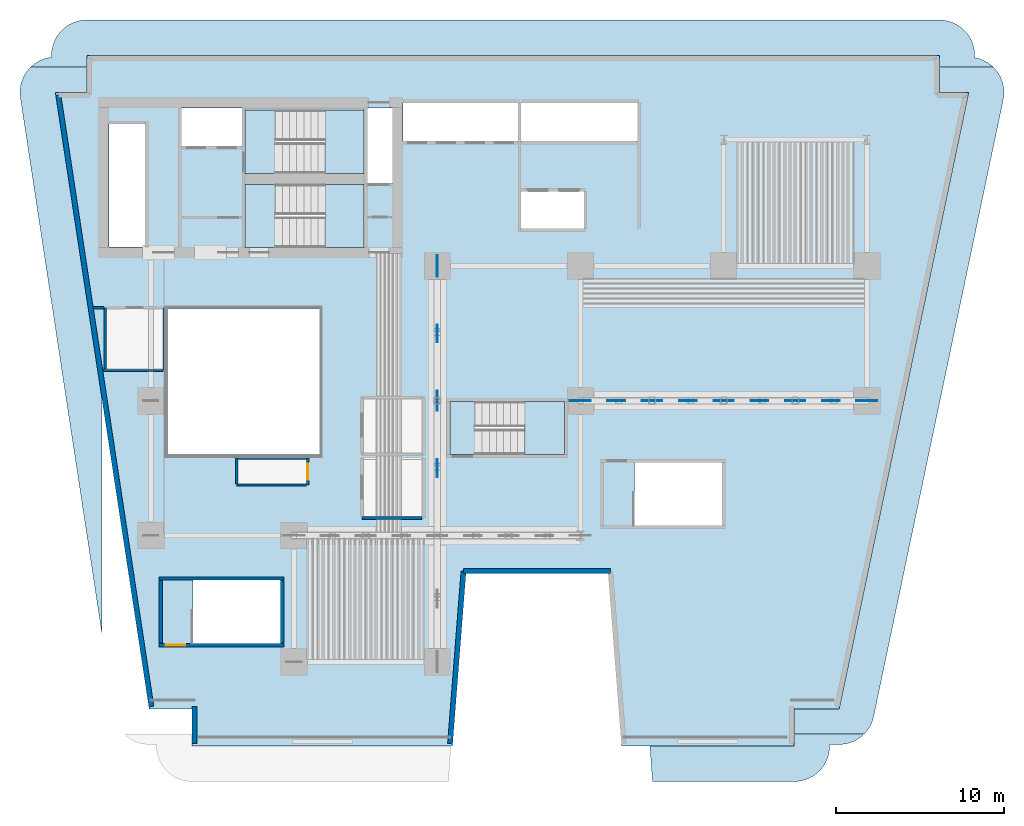
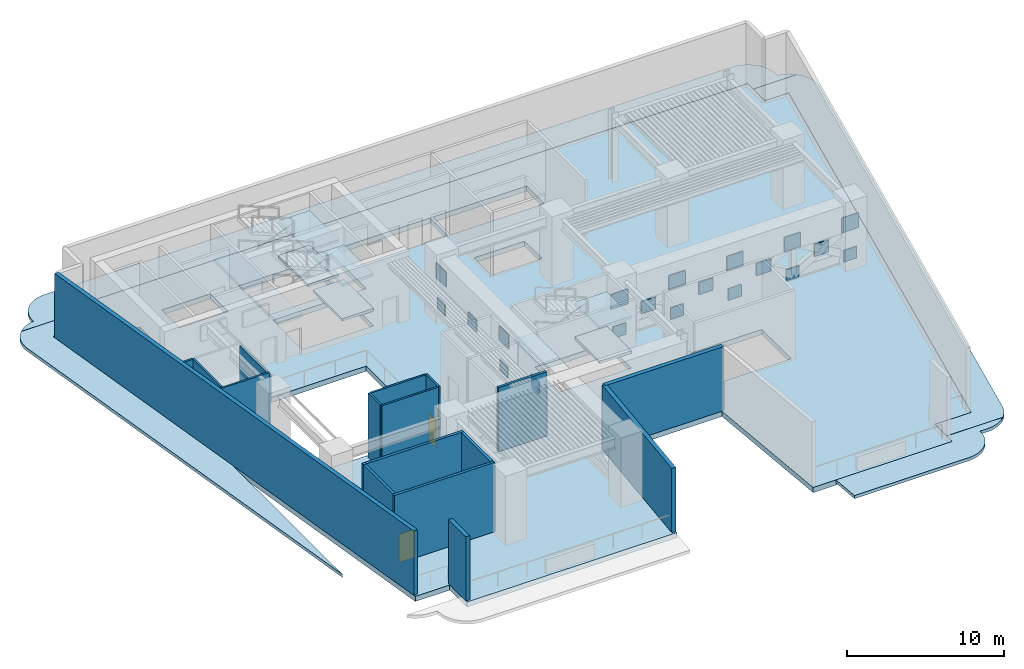
# One storey, part 3 of 9: 20 plates, 17 walls, 14 slabs, 2 doors, 2 openings, 3 elements without a shape of their own.
"""IFC4 building model written with IfcOpenShell, lengths in metres."""

import ifcopenshell
import ifcopenshell.guid

model = None  # the IFC model being written
_history = None  # IfcOwnerHistory: only IFC2X3 demands one
_inside = {}  # id of a spatial element -> (the spatial element, [elements in it])
_under = {}  # id of a project, library or spatial element -> (it, [spatial elements below it])
_declared = {}  # id of a project -> (the project, [libraries it declares])
_typed = {}  # id of a type object -> (the type object, [elements of that type])
_made_of = {}  # id of a material, layer set ... -> (it, [elements and type objects made of it])


def new_model(schema):
    """Start an empty IFC model of exactly this schema.

    Asked for "IFC4X3", IfcOpenShell would pick the latest addendum, in which some entities
    have other attributes; the version numbers below select the first issue.
    IFC2X3 requires an IfcOwnerHistory on every rooted entity: one is made here for all.
    """
    global model, _history
    if schema == "IFC4X3":
        model = ifcopenshell.file(schema_version=(4, 3, 0, 0))
    else:
        model = ifcopenshell.file(schema=schema)
    _inside.clear()
    _under.clear()
    _declared.clear()
    _typed.clear()
    _made_of.clear()
    _history = None
    if model.schema == "IFC2X3":
        org = make("IfcOrganization", Name="unknown")
        user = make(
            "IfcPersonAndOrganization",
            ThePerson=make("IfcPerson", FamilyName="unknown"),
            TheOrganization=org,
        )
        app = make(
            "IfcApplication",
            ApplicationDeveloper=org,
            Version="unknown",
            ApplicationFullName="unknown",
            ApplicationIdentifier="unknown",
        )
        _history = make(
            "IfcOwnerHistory",
            OwningUser=user,
            OwningApplication=app,
            ChangeAction="ADDED",
            CreationDate=0,
        )
    return model


def make(cls, **values):
    """One entity of the class cls with the attributes given. An attribute that is None is left unset."""
    return model.create_entity(
        cls, **{name: value for name, value in values.items() if value is not None}
    )


def rooted(cls, **values):
    """An entity with a GlobalId (a new one), such as an element, a storey or a relation."""
    return make(cls, GlobalId=ifcopenshell.guid.new(), OwnerHistory=_history, **values)


def si_unit(unit_type, name, prefix=None):
    """IfcSIUnit, for example si_unit("LENGTHUNIT", "METRE", prefix="MILLI")."""
    return make("IfcSIUnit", UnitType=unit_type, Prefix=prefix, Name=name)


def assignment(units):
    """IfcUnitAssignment: the units of a project."""
    return None if units is None else make("IfcUnitAssignment", Units=units)


def point(xyz):
    """IfcCartesianPoint."""
    return None if xyz is None else make("IfcCartesianPoint", Coordinates=xyz)


def direction(xyz):
    """IfcDirection."""
    return None if xyz is None else make("IfcDirection", DirectionRatios=xyz)


def frame(location, z_axis=None, x_axis=None):
    """IfcAxis2Placement3D, a coordinate frame: its origin and axes. An axis left out is left unset."""
    return make(
        "IfcAxis2Placement3D",
        Location=point(location),
        Axis=direction(z_axis),
        RefDirection=direction(x_axis),
    )


def frame_2d(location, x_axis=None):
    """IfcAxis2Placement2D, a coordinate frame in the plane: its origin and x axis."""
    return make(
        "IfcAxis2Placement2D", Location=point(location), RefDirection=direction(x_axis)
    )


def origin():
    """The frame at (0, 0, 0) with its axes left unset."""
    return frame((0.0, 0.0, 0.0))


def origin_2d():
    """The frame at (0, 0) in the plane with its x axis left unset."""
    return frame_2d((0.0, 0.0))


def place(relative_to, where):
    """IfcLocalPlacement: puts the frame where relative to a parent placement (None: the world)."""
    return make(
        "IfcLocalPlacement", PlacementRelTo=relative_to, RelativePlacement=where
    )


def context(
    kind, dimensions, precision=None, world=None, true_north=None, identifier=None
):
    """IfcGeometricRepresentationContext, for example the 3D "Model" context."""
    return make(
        "IfcGeometricRepresentationContext",
        ContextIdentifier=identifier,
        ContextType=kind,
        CoordinateSpaceDimension=dimensions,
        Precision=precision,
        WorldCoordinateSystem=world,
        TrueNorth=true_north,
    )


def subcontext(parent, identifier, kind, view, scale=None):
    """IfcGeometricRepresentationSubContext, for example "Body" below "Model"."""
    return make(
        "IfcGeometricRepresentationSubContext",
        ContextIdentifier=identifier,
        ContextType=kind,
        ParentContext=parent,
        TargetScale=scale,
        TargetView=view,
    )


def project(units=None, contexts=None):
    """IfcProject with its units and contexts."""
    return rooted(
        "IfcProject",
        Name="project",
        RepresentationContexts=contexts,
        UnitsInContext=assignment(units),
    )


def spatial(cls, under=None, at=None, **own):
    """A site, building, storey or space (cls), placed at a placement, below another one or the project."""
    s = rooted(cls, ObjectPlacement=at, **own)
    if under is not None:
        _under.setdefault(under.id(), (under, []))[1].append(s)
    return s


def polyline(points):
    """IfcPolyline through the points."""
    return make("IfcPolyline", Points=[point(p) for p in points])


def profile(cls, at=None, kind="AREA", **sizes):
    """A parametric profile (cls). Its sizes go by their IFC names, for example OverallWidth=200.0."""
    return make(cls, ProfileType=kind, Position=at, **sizes)


def rectangle(**sizes):
    """IfcRectangleProfileDef."""
    return profile("IfcRectangleProfileDef", **sizes)


def outline(outer, holes=None, kind="AREA"):
    """IfcArbitraryClosedProfileDef: a profile drawn as a closed curve; with holes, ...WithVoids."""
    if holes is None:
        return make("IfcArbitraryClosedProfileDef", ProfileType=kind, OuterCurve=outer)
    return make(
        "IfcArbitraryProfileDefWithVoids",
        ProfileType=kind,
        OuterCurve=outer,
        InnerCurves=holes,
    )


def extrude(swept, where, along, depth):
    """IfcExtrudedAreaSolid: the profile swept, set in the frame where, extruded along a direction by depth."""
    return make(
        "IfcExtrudedAreaSolid",
        SweptArea=swept,
        Position=where,
        ExtrudedDirection=direction(along),
        Depth=depth,
    )


def shape(context_of_items, identifier, shape_type, items):
    """IfcShapeRepresentation: the items that make up one representation, for example the "Body"."""
    return make(
        "IfcShapeRepresentation",
        ContextOfItems=context_of_items,
        RepresentationIdentifier=identifier,
        RepresentationType=shape_type,
        Items=items,
    )


def material(Name=None, Category=None):
    """IfcMaterial."""
    return make("IfcMaterial", Name=Name, Category=Category)


def layer(
    of_material, thickness, ventilated=None, Name=None, Category=None, Priority=None
):
    """IfcMaterialLayer: one layer of a wall or slab, of a material (None: an air gap)."""
    return make(
        "IfcMaterialLayer",
        Material=of_material,
        LayerThickness=thickness,
        IsVentilated=ventilated,
        Name=Name,
        Category=Category,
        Priority=Priority,
    )


def layer_set(layers, Name=None):
    """IfcMaterialLayerSet."""
    return make("IfcMaterialLayerSet", MaterialLayers=layers, LayerSetName=Name)


def made_of(thing, what):
    """Note that an element or type object is made of a material, layer set ...; save() writes the relation."""
    if what is not None:
        _made_of.setdefault(what.id(), (what, []))[1].append(thing)
    return thing


def type_object(cls, material=None, **own):
    """A type object (cls), such as IfcWallType, which elements share."""
    return made_of(rooted(cls, **own), material)


def element(
    cls,
    number,
    at=None,
    inside=None,
    cuts=None,
    type_object=None,
    material=None,
    context=None,
    identifier="Body",
    shape_type=None,
    held_by="IfcProductDefinitionShape",
    body=None,
    shapes=None,
    **own,
):
    """One element of the class cls, such as IfcWall. Its Tag is "e" and its number.

    at: its placement. inside: the storey or other place that contains it. cuts: it is an
    opening in that element (IfcRelVoidsElement). A single representation is given by context,
    identifier, shape_type and body (its items); several are given by shapes. held_by: the class
    of the entity that holds the representations. save() writes the other relations.
    """
    e = rooted(cls, Tag="e%d" % number, ObjectPlacement=at, **own)
    if body is not None:
        shapes = [shape(context, identifier, shape_type, body)]
    if shapes is not None:
        e.Representation = make(held_by, Representations=shapes)
    if inside is not None:
        _inside.setdefault(inside.id(), (inside, []))[1].append(e)
    if cuts is not None:
        rooted(
            "IfcRelVoidsElement", RelatingBuildingElement=cuts, RelatedOpeningElement=e
        )
    if type_object is not None:
        _typed.setdefault(type_object.id(), (type_object, []))[1].append(e)
    return made_of(e, material)


def fill(opening, filler):
    """IfcRelFillsElement: the door or window that sits in an opening."""
    return rooted(
        "IfcRelFillsElement",
        RelatingOpeningElement=opening,
        RelatedBuildingElement=filler,
    )


def aggregate(whole, parts):
    """IfcRelAggregates: a whole, such as a stair, and the parts it consists of."""
    return rooted("IfcRelAggregates", RelatingObject=whole, RelatedObjects=parts)


def save(model, path):
    """Write the relations noted so far, then the file.

    IfcRelAggregates (storeys below a building ...), IfcRelContainedInSpatialStructure (elements
    in a storey), IfcRelDefinesByType, IfcRelAssociatesMaterial and IfcRelDeclares: one each for
    every whole, place, type object, material and project.
    """
    for whole, parts in _under.values():
        aggregate(whole, parts)
    for where, things in _inside.values():
        rooted(
            "IfcRelContainedInSpatialStructure",
            RelatedElements=things,
            RelatingStructure=where,
        )
    for kind, things in _typed.values():
        rooted("IfcRelDefinesByType", RelatedObjects=things, RelatingType=kind)
    for what, things in _made_of.values():
        rooted("IfcRelAssociatesMaterial", RelatedObjects=things, RelatingMaterial=what)
    for by, libraries in _declared.values():
        rooted("IfcRelDeclares", RelatingContext=by, RelatedDefinitions=libraries)
    model.write(path)


model = new_model("IFC4")

# Units and contexts
model_context = context("Model", 3, precision=1e-05, world=origin(), true_north=direction((0.0, 1.0)))
body_context = subcontext(model_context, "Body", "Model", "MODEL_VIEW")
ifc_project = project(units=[si_unit("LENGTHUNIT", "METRE"), si_unit("AREAUNIT", "SQUARE_METRE"), si_unit("VOLUMEUNIT", "CUBIC_METRE"), si_unit("PLANEANGLEUNIT", "RADIAN"), si_unit("MASSUNIT", "GRAM", prefix="KILO")], contexts=[model_context])

# Site, building, storey
site_placement = place(None, origin())
site = spatial("IfcSite", under=ifc_project, at=site_placement, CompositionType="ELEMENT")
building_placement = place(site_placement, origin())
building = spatial("IfcBuilding", under=site, at=building_placement, Name="Caeloran Harvest Quay", CompositionType="ELEMENT")
storey_placement = place(building_placement, frame((0.0, 0.0, 21.60009765625)))
storey = spatial("IfcBuildingStorey", under=building, at=storey_placement, Name="L05", CompositionType="ELEMENT", Elevation=21.60009765625)

# Plates
ifc_material_1 = material(Name="Steel HISTAR 460", Category="steel")
ifc_layer_1 = layer(ifc_material_1, 0.050048828125, Name="Steel HISTAR 460")
ifc_layer_set_1 = layer_set([ifc_layer_1], Name="Steel HISTAR 460")
plate_type_1 = type_object("IfcPlateType", Name="PLT-TN1-50MM", PredefinedType="SHEET", material=ifc_layer_set_1)
for number, where, z_axis, x_axis, name in (
    (1, (25.5, 19.0, 1.39990234375), (0.0, 0.0, 1.0), (0.0, 1.0, 0.0), "L05 Transfer Truss TT2-X255 X-Crossing Gusset Node Plate 2"),
    (2, (25.5, 27.0, 1.39990234375), (0.0, 0.0, 1.0), (0.0, 1.0, 0.0), "L05 Transfer Truss TT2-X255 X-Crossing Gusset Node Plate 3"),
):
    element("IfcPlate", number, at=place(storey_placement, frame(where, z_axis=z_axis, x_axis=x_axis)), inside=storey, type_object=plate_type_1, Name=name, PredefinedType="SHEET", context=body_context, shape_type="SweptSolid", body=[
        extrude(rectangle(XDim=1.050048828125, YDim=0.050048828125, at=origin_2d()), origin(), (0.0, 0.0, 1.0), 0.949951171875),
    ])
plate_placement = place(storey_placement, frame((25.5, 23.0, 2.5498046875), z_axis=(0.0, 0.0, 1.0), x_axis=(0.0, 1.0, 0.0)))
element("IfcPlate", 3, at=plate_placement, inside=storey, type_object=plate_type_1, Name="L05 Transfer Truss Node Gusset and Cap Plate TOP 2", PredefinedType="SHEET", context=body_context, shape_type="SweptSolid", body=[
    extrude(rectangle(XDim=1.199951171875, YDim=0.050048828125, at=origin_2d()), origin(), (0.0, 0.0, 1.0), 1.10009765625),
])
for number, where, z_axis, x_axis, name in (
    (4, (36.125, 23.0, 1.39990234375), (0.0, 0.0, 1.0), (1.0, 0.0, 0.0), "L05 Transfer Truss TT3-Y23-E X-Crossing Gusset Node Plate 1"),
    (5, (40.375, 23.0, 1.39990234375), (0.0, 0.0, 1.0), (1.0, 0.0, 0.0), "L05 Transfer Truss TT3-Y23-E X-Crossing Gusset Node Plate 2"),
    (6, (44.625, 23.0, 1.39990234375), (0.0, 0.0, 1.0), (1.0, 0.0, 0.0), "L05 Transfer Truss TT3-Y23-E X-Crossing Gusset Node Plate 3"),
    (7, (48.875, 23.0, 1.39990234375), (0.0, 0.0, 1.0), (1.0, 0.0, 0.0), "L05 Transfer Truss TT3-Y23-E X-Crossing Gusset Node Plate 4"),
):
    element("IfcPlate", number, at=place(storey_placement, frame(where, z_axis=z_axis, x_axis=x_axis)), inside=storey, type_object=plate_type_1, Name=name, PredefinedType="SHEET", context=body_context, shape_type="SweptSolid", body=[
        extrude(rectangle(XDim=1.050048828125, YDim=0.050048828125, at=origin_2d()), origin(), (0.0, 0.0, 1.0), 0.949951171875),
    ])
for number, where, z_axis, x_axis, name in (
    (8, (38.25, 23.0, 2.5498046875), (0.0, 0.0, 1.0), (1.0, 0.0, 0.0), "L05 Transfer Truss Node Gusset and Cap Plate TOP 1"),
    (9, (42.5, 23.0, 2.5498046875), (0.0, 0.0, 1.0), (1.0, 0.0, 0.0), "L05 Transfer Truss Node Gusset and Cap Plate TOP 2"),
    (10, (46.75, 23.0, 2.5498046875), (0.0, 0.0, 1.0), (1.0, 0.0, 0.0), "L05 Transfer Truss Node Gusset and Cap Plate TOP 3"),
):
    element("IfcPlate", number, at=place(storey_placement, frame(where, z_axis=z_axis, x_axis=x_axis)), inside=storey, type_object=plate_type_1, Name=name, PredefinedType="SHEET", context=body_context, shape_type="SweptSolid", body=[
        extrude(rectangle(XDim=1.199951171875, YDim=0.050048828125, at=origin_2d()), origin(), (0.0, 0.0, 1.0), 1.10009765625),
    ])
ifc_layer_2 = layer(ifc_material_1, 0.0400390625, Name="Steel HISTAR 460")
ifc_layer_set_2 = layer_set([ifc_layer_2], Name="Steel HISTAR 460")
plate_type_2 = type_object("IfcPlateType", Name="PLT-TN2-40MM", PredefinedType="SHEET", material=ifc_layer_set_2)
for number, where, z_axis, x_axis, name in (
    (11, (25.5, 23.0, 0.199951171875), (0.0, 0.0, 1.0), (0.0, 1.0, 0.0), "L05 Transfer Truss Node Gusset and Cap Plate BOT 2"),
    (12, (25.5, 31.0, 0.199951171875), (0.0, 0.0, 1.0), (0.0, 1.0, 0.0), "L05 Transfer Truss Node Gusset and Cap Plate BOT 3"),
    (13, (34.0, 23.0, 0.199951171875), (0.0, 0.0, 1.0), (1.0, 0.0, 0.0), "L05 Transfer Truss Node Gusset and Cap Plate BOT 0"),
    (14, (38.25, 23.0, 0.199951171875), (0.0, 0.0, 1.0), (1.0, 0.0, 0.0), "L05 Transfer Truss Node Gusset and Cap Plate BOT 1"),
    (15, (42.5, 23.0, 0.199951171875), (0.0, 0.0, 1.0), (1.0, 0.0, 0.0), "L05 Transfer Truss Node Gusset and Cap Plate BOT 2"),
    (16, (46.75, 23.0, 0.199951171875), (0.0, 0.0, 1.0), (1.0, 0.0, 0.0), "L05 Transfer Truss Node Gusset and Cap Plate BOT 3"),
    (17, (51.0, 23.0, 0.199951171875), (0.0, 0.0, 1.0), (1.0, 0.0, 0.0), "L05 Transfer Truss Node Gusset and Cap Plate BOT 4"),
):
    element("IfcPlate", number, at=place(storey_placement, frame(where, z_axis=z_axis, x_axis=x_axis)), inside=storey, type_object=plate_type_2, Name=name, PredefinedType="SHEET", context=body_context, shape_type="SweptSolid", body=[
        extrude(rectangle(XDim=0.949951171875, YDim=0.0400390625, at=origin_2d()), origin(), (0.0, 0.0, 1.0), 0.89990234375),
    ])
ifc_layer_3 = layer(ifc_material_1, 0.0439453125, Name="Steel HISTAR 460")
ifc_layer_set_3 = layer_set([ifc_layer_3], Name="Steel HISTAR 460")
plate_type_3 = type_object("IfcPlateType", Name="PLT-TN3-44MM", PredefinedType="SHEET", material=ifc_layer_set_3)
for number, where, z_axis, x_axis, name in (
    (18, (25.5, 31.0, 2.52490234375), (0.0, 0.0, 1.0), (0.0, 1.0, 0.0), "L05 Transfer Truss Node Gusset and Cap Plate TOP 3"),
    (19, (34.0, 23.0, 2.52490234375), (0.0, 0.0, 1.0), (1.0, 0.0, 0.0), "L05 Transfer Truss Node Gusset and Cap Plate TOP 0"),
    (20, (51.0, 23.0, 2.52490234375), (0.0, 0.0, 1.0), (1.0, 0.0, 0.0), "L05 Transfer Truss Node Gusset and Cap Plate TOP 4"),
):
    element("IfcPlate", number, at=place(storey_placement, frame(where, z_axis=z_axis, x_axis=x_axis)), inside=storey, type_object=plate_type_3, Name=name, PredefinedType="SHEET", context=body_context, shape_type="SweptSolid", body=[
        extrude(rectangle(XDim=1.25, YDim=0.0439453125, at=origin_2d()), origin(), (0.0, 0.0, 1.0), 1.14990234375),
    ])

# Slabs
ifc_material_2 = material(Name="Concrete C50/60", Category="concrete")
ifc_layer_4 = layer(ifc_material_2, 0.39990234375, Name="Concrete C50/60")
ifc_layer_set_4 = layer_set([ifc_layer_4], Name="Concrete C50/60")
slab_type_1 = type_object("IfcSlabType", Name="SLAB-FS-400", PredefinedType="FLOOR", material=ifc_layer_set_4)
slab_1_placement = place(storey_placement, frame((0.0, 0.0, -0.400146484375)))
element("IfcSlab", 21, at=slab_1_placement, inside=storey, type_object=slab_type_1, Name="L05 Structural Floor Slab", PredefinedType="FLOOR", context=body_context, shape_type="SweptSolid", body=[
    extrude(outline(polyline([(10.93701171875, 2.5), (26.403076171875, 2.5), (27.202880859375, 12.75), (35.640380859375, 12.75), (36.4404296875, 2.5), (46.68701171875, 2.5), (46.68701171875, 4.699951171875), (49.34912109375, 4.699951171875), (57.037841796875, 41.300048828125), (55.300048828125, 41.300048828125), (55.300048828125, 43.5), (4.699951171875, 43.5), (4.699951171875, 41.300048828125), (2.834716796875, 41.300048828125), (8.40234375, 4.699951171875), (10.93701171875, 4.699951171875), (10.93701171875, 2.5)]), holes=[polyline([(11.0, 8.60009765625), (11.0, 12.35009765625), (16.199951171875, 12.35009765625), (16.199951171875, 8.60009765625), (11.0, 8.60009765625)]), polyline([(9.5, 19.800048828125), (9.5, 28.449951171875), (18.5, 28.449951171875), (18.5, 19.800048828125), (9.5, 19.800048828125)]), polyline([(15.89990234375, 35.85009765625), (21.14990234375, 35.85009765625), (21.14990234375, 32.10009765625), (15.89990234375, 32.10009765625), (15.89990234375, 35.85009765625)]), polyline([(8.159912109375, 32.1201171875), (6.02001953125, 32.1201171875), (6.02001953125, 39.419921875), (8.159912109375, 39.419921875), (8.159912109375, 32.1201171875)]), polyline([(15.89990234375, 40.25), (21.14990234375, 40.25), (21.14990234375, 36.5), (15.89990234375, 36.5), (15.89990234375, 40.25)]), polyline([(10.320068359375, 38.1201171875), (10.320068359375, 40.3798828125), (13.89990234375, 40.3798828125), (13.89990234375, 38.1201171875), (10.320068359375, 38.1201171875)]), polyline([(37.199951171875, 15.60009765625), (37.199951171875, 19.35009765625), (42.39990234375, 19.35009765625), (42.39990234375, 15.60009765625), (37.199951171875, 15.60009765625)]), polyline([(27.75, 22.949951171875), (33.050048828125, 22.949951171875), (33.050048828125, 19.800048828125), (27.75, 19.800048828125), (27.75, 22.949951171875)]), polyline([(30.47998046875, 33.219970703125), (30.47998046875, 35.429931640625), (34.199951171875, 35.429931640625), (34.199951171875, 33.219970703125), (30.47998046875, 33.219970703125)]), polyline([(22.830078125, 35.919921875), (21.35009765625, 35.919921875), (21.35009765625, 40.3798828125), (22.830078125, 40.3798828125), (22.830078125, 35.919921875)]), polyline([(23.469970703125, 38.419921875), (23.469970703125, 40.679931640625), (30.280029296875, 40.679931640625), (30.280029296875, 38.419921875), (23.469970703125, 38.419921875)]), polyline([(30.47998046875, 38.419921875), (30.47998046875, 40.679931640625), (37.3798828125, 40.679931640625), (37.3798828125, 38.419921875), (30.47998046875, 38.419921875)])]), origin(), (0.0, 0.0, 1.0), 0.400146484375),
])
ifc_layer_5 = layer(ifc_material_2, 0.239990234375, Name="Concrete C50/60")
ifc_layer_set_5 = layer_set([ifc_layer_5], Name="Concrete C50/60")
slab_type_2 = type_object("IfcSlabType", Name="SLAB-TR-240", PredefinedType="ROOF", material=ifc_layer_set_5)
slab_2_placement = place(storey_placement, frame((0.0, 0.0, -0.239990234375)))
element("IfcSlab", 22, at=slab_2_placement, inside=storey, type_object=slab_type_2, Name="L05 Step-Back Roof Slab 2", PredefinedType="ROOF", context=body_context, shape_type="SweptSolid", body=[
    extrude(outline(polyline([(50.672607421875, 3.069580078125), (50.5078125, 2.948486328125), (50.33203125, 2.84423828125), (50.14697265625, 2.75732421875), (49.9541015625, 2.68896484375), (49.755615234375, 2.6396484375), (49.553466796875, 2.610107421875), (49.34912109375, 2.60009765625), (48.787109375, 2.60009765625), (48.787109375, 2.5), (48.77685546875, 2.294189453125), (48.74658203125, 2.09033203125), (48.696533203125, 1.890380859375), (48.627197265625, 1.6962890625), (48.5390625, 1.510009765625), (48.43310546875, 1.333251953125), (48.310302734375, 1.167724609375), (48.171875, 1.01513671875), (48.019287109375, 0.876708984375), (47.853759765625, 0.75390625), (47.677001953125, 0.64794921875), (47.490478515625, 0.559814453125), (47.296630859375, 0.490478515625), (47.0966796875, 0.4404296875), (46.892822265625, 0.41015625), (46.68701171875, 0.39990234375), (38.27490234375, 0.39990234375), (38.122802734375, 2.5), (46.68701171875, 2.5), (46.68701171875, 3.199951171875), (50.818359375, 3.199951171875), (50.672607421875, 3.069580078125)])), origin(), (0.0, 0.0, 1.0), 0.239990234375),
])
slab_3_placement = place(storey_placement, frame((0.0, 0.0, -0.239990234375)))
element("IfcSlab", 23, at=slab_3_placement, inside=storey, type_object=slab_type_2, Name="L05 Step-Back Roof Slab 3", PredefinedType="ROOF", context=body_context, shape_type="SweptSolid", body=[
    extrude(outline(polyline([(1.3798828125, 42.814697265625), (1.53125, 42.946533203125), (1.694580078125, 43.0634765625), (1.8681640625, 43.164306640625), (2.05078125, 43.248291015625), (2.240234375, 43.314208984375), (2.435302734375, 43.36181640625), (2.60009765625, 43.385498046875), (2.60009765625, 43.5), (2.610107421875, 43.705810546875), (2.640380859375, 43.90966796875), (2.6904296875, 44.109619140625), (2.760009765625, 44.3037109375), (2.847900390625, 44.489990234375), (2.953857421875, 44.666748046875), (3.07666015625, 44.832275390625), (3.215087890625, 44.98486328125), (3.367919921875, 45.123291015625), (3.533203125, 45.24609375), (3.710205078125, 45.35205078125), (3.896484375, 45.440185546875), (4.09033203125, 45.509521484375), (4.290283203125, 45.5595703125), (4.494140625, 45.58984375), (4.699951171875, 45.60009765625), (55.300048828125, 45.60009765625), (55.505859375, 45.58984375), (55.709716796875, 45.5595703125), (55.90966796875, 45.509521484375), (56.103515625, 45.440185546875), (56.289794921875, 45.35205078125), (56.466796875, 45.24609375), (56.632080078125, 45.123291015625), (56.784912109375, 44.98486328125), (56.92333984375, 44.832275390625), (57.046142578125, 44.666748046875), (57.152099609375, 44.489990234375), (57.239990234375, 44.3037109375), (57.3095703125, 44.109619140625), (57.359619140625, 43.90966796875), (57.389892578125, 43.705810546875), (57.39990234375, 43.5), (57.39990234375, 43.36669921875), (57.449951171875, 43.359130859375), (57.65087890625, 43.30859375), (57.84619140625, 43.23828125), (58.033203125, 43.149169921875), (58.210693359375, 43.0419921875), (58.376708984375, 42.917724609375), (58.505615234375, 42.800048828125), (55.300048828125, 42.800048828125), (55.300048828125, 43.5), (4.699951171875, 43.5), (4.699951171875, 42.800048828125), (1.3662109375, 42.800048828125), (1.3798828125, 42.814697265625)])), origin(), (0.0, 0.0, 1.0), 0.239990234375),
])
slab_4_placement = place(storey_placement, frame((0.0, 0.0, -0.239990234375)))
element("IfcSlab", 24, at=slab_4_placement, inside=storey, type_object=slab_type_2, Name="L05 Step-Back Roof Slab 4", PredefinedType="ROOF", context=body_context, shape_type="SweptSolid", body=[
    extrude(outline(polyline([(0.758544921875, 40.984130859375), (0.73779296875, 41.183837890625), (0.736328125, 41.384765625), (0.754150390625, 41.584716796875), (0.790771484375, 41.781982421875), (0.84619140625, 41.97509765625), (0.919921875, 42.162109375), (1.0107421875, 42.3408203125), (1.11865234375, 42.51025390625), (1.241943359375, 42.668701171875), (1.356689453125, 42.7900390625), (4.699951171875, 42.7900390625), (4.699951171875, 41.300048828125), (2.834716796875, 41.300048828125), (5.60009765625, 23.12158203125), (5.60009765625, 9.157958984375), (0.758544921875, 40.984130859375)])), origin(), (0.0, 0.0, 1.0), 0.239990234375),
])
slab_5_placement = place(storey_placement, frame((0.0, 0.0, -0.239990234375)))
element("IfcSlab", 25, at=slab_5_placement, inside=storey, type_object=slab_type_2, Name="L05 Step-Back Roof Slab 5", PredefinedType="ROOF", context=body_context, shape_type="SweptSolid", body=[
    extrude(outline(polyline([(58.52978515625, 42.77783203125), (58.668212890625, 42.62353515625), (58.790771484375, 42.456298828125), (58.896240234375, 42.27783203125), (58.983642578125, 42.08984375), (59.052001953125, 41.89404296875), (59.100830078125, 41.6923828125), (59.12939453125, 41.4873046875), (59.1376953125, 41.280029296875), (59.12548828125, 41.072998046875), (59.093017578125, 40.868408203125), (51.404296875, 4.268310546875), (51.3525390625, 4.0703125), (51.281982421875, 3.878662109375), (51.19287109375, 3.694580078125), (51.086181640625, 3.52001953125), (50.96337890625, 3.356689453125), (50.82861328125, 3.2099609375), (46.68701171875, 3.2099609375), (46.68701171875, 4.699951171875), (49.34912109375, 4.699951171875), (57.037841796875, 41.300048828125), (55.300048828125, 41.300048828125), (55.300048828125, 42.7900390625), (58.5166015625, 42.7900390625), (58.52978515625, 42.77783203125)])), origin(), (0.0, 0.0, 1.0), 0.239990234375),
])

# Stair, slabs
stair_type_1 = type_object("IfcStairType", Name="STAIR-STC-180", PredefinedType="HALF_TURN_STAIR", material=ifc_material_2)
stair_1_placement = place(storey_placement, origin())
stair_1 = element("IfcStair", 26, at=stair_1_placement, inside=storey, type_object=stair_type_1, Name="L05 Core Pressurized Exit Stair ST-C1", PredefinedType="HALF_TURN_STAIR")
ifc_layer_6 = layer(ifc_material_2, 0.219970703125, Name="Concrete C50/60")
ifc_layer_set_6 = layer_set([ifc_layer_6], Name="Concrete C50/60")
slab_type_3 = type_object("IfcSlabType", Name="STAIR-LANDING-220", PredefinedType="LANDING", material=ifc_layer_set_6)
slab_6_placement = place(storey_placement, frame((0.0, 0.0, 1.14990234375)))
slab_6 = element("IfcSlab", 27, at=slab_6_placement, type_object=slab_type_3, Name="ST-C1 landing 1", PredefinedType="LANDING", context=body_context, shape_type="SweptSolid", body=[
    extrude(outline(polyline([(18.840087890625, 36.5), (21.14990234375, 36.5), (21.14990234375, 40.25), (18.840087890625, 40.25), (18.840087890625, 36.5)])), origin(), (0.0, 0.0, 1.0), 0.199951171875),
])
slab_7_placement = place(storey_placement, frame((0.0, 0.0, 2.5)))
slab_7 = element("IfcSlab", 28, at=slab_7_placement, type_object=slab_type_3, Name="ST-C1 landing 2", PredefinedType="LANDING", context=body_context, shape_type="SweptSolid", body=[
    extrude(outline(polyline([(14.10009765625, 36.5), (15.89990234375, 36.5), (15.89990234375, 40.25), (14.10009765625, 40.25), (14.10009765625, 36.5)])), origin(), (0.0, 0.0, 1.0), 0.199951171875),
])
slab_8_placement = place(storey_placement, frame((0.0, 0.0, 3.849853515625)))
slab_8 = element("IfcSlab", 29, at=slab_8_placement, type_object=slab_type_3, Name="ST-C1 landing 3", PredefinedType="LANDING", context=body_context, shape_type="SweptSolid", body=[
    extrude(outline(polyline([(18.840087890625, 36.5), (21.14990234375, 36.5), (21.14990234375, 40.25), (18.840087890625, 40.25), (18.840087890625, 36.5)])), origin(), (0.0, 0.0, 1.0), 0.199951171875),
])
aggregate(stair_1, [slab_6, slab_7, slab_8])

stair_2_placement = place(storey_placement, origin())
stair_2 = element("IfcStair", 30, at=stair_2_placement, inside=storey, type_object=stair_type_1, Name="L05 Core Pressurized Exit Stair ST-C2", PredefinedType="HALF_TURN_STAIR")
slab_9_placement = place(storey_placement, frame((0.0, 0.0, 1.14990234375)))
slab_9 = element("IfcSlab", 31, at=slab_9_placement, type_object=slab_type_3, Name="ST-C2 landing 1", PredefinedType="LANDING", context=body_context, shape_type="SweptSolid", body=[
    extrude(outline(polyline([(18.840087890625, 32.10009765625), (21.14990234375, 32.10009765625), (21.14990234375, 35.85009765625), (18.840087890625, 35.85009765625), (18.840087890625, 32.10009765625)])), origin(), (0.0, 0.0, 1.0), 0.199951171875),
])
slab_10_placement = place(storey_placement, frame((0.0, 0.0, 2.5)))
slab_10 = element("IfcSlab", 32, at=slab_10_placement, type_object=slab_type_3, Name="ST-C2 landing 2", PredefinedType="LANDING", context=body_context, shape_type="SweptSolid", body=[
    extrude(outline(polyline([(14.10009765625, 32.10009765625), (15.89990234375, 32.10009765625), (15.89990234375, 35.85009765625), (14.10009765625, 35.85009765625), (14.10009765625, 32.10009765625)])), origin(), (0.0, 0.0, 1.0), 0.199951171875),
])
slab_11_placement = place(storey_placement, frame((0.0, 0.0, 3.849853515625)))
slab_11 = element("IfcSlab", 33, at=slab_11_placement, type_object=slab_type_3, Name="ST-C2 landing 3", PredefinedType="LANDING", context=body_context, shape_type="SweptSolid", body=[
    extrude(outline(polyline([(18.840087890625, 32.10009765625), (21.14990234375, 32.10009765625), (21.14990234375, 35.85009765625), (18.840087890625, 35.85009765625), (18.840087890625, 32.10009765625)])), origin(), (0.0, 0.0, 1.0), 0.199951171875),
])
aggregate(stair_2, [slab_9, slab_10, slab_11])

stair_type_2 = type_object("IfcStairType", Name="STAIR-STW-150", PredefinedType="HALF_TURN_STAIR", material=ifc_material_2)
stair_3_placement = place(storey_placement, origin())
stair_3 = element("IfcStair", 34, at=stair_3_placement, inside=storey, type_object=stair_type_2, Name="L05 East Wing Protected Exit Stair ST-W1", PredefinedType="HALF_TURN_STAIR")
slab_12_placement = place(storey_placement, frame((0.0, 0.0, 1.14990234375)))
slab_12 = element("IfcSlab", 35, at=slab_12_placement, type_object=slab_type_3, Name="ST-W1 landing 1", PredefinedType="LANDING", context=body_context, shape_type="SweptSolid", body=[
    extrude(outline(polyline([(30.68994140625, 19.800048828125), (33.050048828125, 19.800048828125), (33.050048828125, 22.949951171875), (30.68994140625, 22.949951171875), (30.68994140625, 19.800048828125)])), origin(), (0.0, 0.0, 1.0), 0.199951171875),
])
slab_13_placement = place(storey_placement, frame((0.0, 0.0, 2.5)))
slab_13 = element("IfcSlab", 36, at=slab_13_placement, type_object=slab_type_3, Name="ST-W1 landing 2", PredefinedType="LANDING", context=body_context, shape_type="SweptSolid", body=[
    extrude(outline(polyline([(26.25, 19.800048828125), (27.75, 19.800048828125), (27.75, 22.949951171875), (26.25, 22.949951171875), (26.25, 19.800048828125)])), origin(), (0.0, 0.0, 1.0), 0.199951171875),
])
slab_14_placement = place(storey_placement, frame((0.0, 0.0, 3.849853515625)))
slab_14 = element("IfcSlab", 37, at=slab_14_placement, type_object=slab_type_3, Name="ST-W1 landing 3", PredefinedType="LANDING", context=body_context, shape_type="SweptSolid", body=[
    extrude(outline(polyline([(30.68994140625, 19.800048828125), (33.050048828125, 19.800048828125), (33.050048828125, 22.949951171875), (30.68994140625, 22.949951171875), (30.68994140625, 19.800048828125)])), origin(), (0.0, 0.0, 1.0), 0.199951171875),
])
aggregate(stair_3, [slab_12, slab_13, slab_14])

# Walls
ifc_material_3 = material(Name="Precast concrete C50/60", Category="concrete")
ifc_layer_7 = layer(ifc_material_3, 0.300048828125, Name="Precast concrete C50/60")
ifc_layer_set_7 = layer_set([ifc_layer_7], Name="Precast concrete C50/60")
wall_type_1 = type_object("IfcWallType", Name="ENV-WALL-EW-300", PredefinedType="STANDARD", material=ifc_layer_set_7)
wall_1_placement = place(storey_placement, frame((11.0869140625, 2.64990234375, 0.0), z_axis=(0.0, 0.0, 1.0), x_axis=(0.0, 1.0, 0.0)))
element("IfcWall", 38, at=wall_1_placement, inside=storey, type_object=wall_type_1, Name="L05 Exterior Precast Concrete Facade Wall 1", PredefinedType="STANDARD", context=body_context, shape_type="SweptSolid", body=[
    extrude(rectangle(XDim=2.2001953125, YDim=0.300048828125, at=frame_2d((1.10009765625, 0.0))), origin(), (0.0, 0.0, 1.0), 5.0),
])
wall_2_placement = place(storey_placement, frame((8.53125, 4.85009765625, 0.0), z_axis=(0.0, 0.0, 1.0), x_axis=(-0.150391137476, 0.988626575492, 0.0)))
element("IfcWall", 39, at=wall_2_placement, inside=storey, type_object=wall_type_1, Name="L05 Exterior Precast Concrete Facade Wall 3", PredefinedType="STANDARD", context=body_context, shape_type="SweptSolid", body=[
    extrude(rectangle(XDim=36.717529296875, YDim=0.300048828125, at=frame_2d((18.35888671875, 0.0))), origin(), (0.0, 0.0, 1.0), 5.0),
])
wall_3_placement = place(storey_placement, frame((35.779296875, 12.89990234375, 0.0), z_axis=(0.0, 0.0, 1.0), x_axis=(-1.0, 0.0, 0.0)))
element("IfcWall", 40, at=wall_3_placement, inside=storey, type_object=wall_type_1, Name="L05 Exterior Precast Concrete Facade Wall 14", PredefinedType="STANDARD", context=body_context, shape_type="SweptSolid", body=[
    extrude(rectangle(XDim=8.715087890625, YDim=0.300048828125, at=frame_2d((4.357421875, 0.0))), origin(), (0.0, 0.0, 1.0), 5.0),
])
wall_4_placement = place(storey_placement, frame((27.064208984375, 12.89990234375, 0.0), z_axis=(0.0, 0.0, 1.0), x_axis=(-0.077793257511, -0.996969512616, 0.0)))
element("IfcWall", 41, at=wall_4_placement, inside=storey, type_object=wall_type_1, Name="L05 Exterior Precast Concrete Facade Wall 15", PredefinedType="STANDARD", context=body_context, shape_type="SweptSolid", body=[
    extrude(rectangle(XDim=10.28125, YDim=0.300048828125, at=frame_2d((5.140625, 0.0))), origin(), (0.0, 0.0, 1.0), 5.0),
])

# Wall, opening, door
ifc_material_4 = material(Name="Moisture-Resistant Cement-Board Sanitary Partition", Category="gypsum")
ifc_layer_8 = layer(ifc_material_4, 0.139892578125, Name="Moisture-Resistant Cement-Board Sanitary Partition")
ifc_layer_set_8 = layer_set([ifc_layer_8], Name="Moisture-Resistant Cement-Board Sanitary Partition")
wall_type_2 = type_object("IfcWallType", Name="INT-WALL-PW-140", PredefinedType="PARTITIONING", material=ifc_layer_set_8)
wall_5_placement = place(storey_placement, frame((17.820068359375, 19.590087890625, 0.0), z_axis=(0.0, 0.0, 1.0), x_axis=(0.0, -1.0, 0.0)))
wall_5 = element("IfcWall", 42, at=wall_5_placement, inside=storey, type_object=wall_type_2, Name="L05 Refuge Male Washroom WC Partition Wall", PredefinedType="PARTITIONING", context=body_context, shape_type="SweptSolid", body=[
    extrude(rectangle(XDim=1.590087890625, YDim=0.139892578125, at=frame_2d((0.794921875, 0.0))), origin(), (0.0, 0.0, 1.0), 5.0),
])
opening_1_placement = place(wall_5_placement, frame((0.320068359375, 0.0, 0.0)))
opening_1 = element("IfcOpeningElement", 43, at=opening_1_placement, cuts=wall_5, Name="Opening WC-01", PredefinedType="OPENING", context=body_context, shape_type="SweptSolid", body=[
    extrude(rectangle(XDim=0.949951171875, YDim=2.14990234375, at=frame_2d((0.47509765625, 1.074951171875))), frame((0.0, 0.080078125, 0.0), z_axis=(0.0, -1.0, 0.0), x_axis=(1.0, 0.0, 0.0)), (0.0, 0.0, 1.0), 0.159912109375),
])
ifc_material_5 = material(Name="High-Pressure Laminate Moisture-Resistant Timber", Category="wood")
door_type_1 = type_object("IfcDoorType", Name="INTDOOR-WC-01", OperationType="NOTDEFINED", PredefinedType="DOOR", material=ifc_material_5)
door_1_placement = place(opening_1_placement, origin())
door_1 = element("IfcDoor", 44, at=door_1_placement, inside=storey, type_object=door_type_1, Name="L05 Refuge Male Washroom WC Access Door", OperationType="SINGLE_SWING_LEFT", OverallHeight=2.14990234375, OverallWidth=0.949951171875, PredefinedType="DOOR", context=body_context, shape_type="SweptSolid", body=[
    extrude(rectangle(XDim=0.949951171875, YDim=2.14990234375, at=frame_2d((0.47509765625, 1.074951171875))), frame((0.0, 0.02490234375, 0.0), z_axis=(0.0, -1.0, 0.0), x_axis=(1.0, 0.0, 0.0)), (0.0, 0.0, 1.0), 0.050048828125),
])
fill(opening_1, door_1)

# Walls
wall_6_placement = place(storey_placement, frame((17.7451171875, 18.0, 0.0), z_axis=(0.0, 0.0, 1.0), x_axis=(-1.0, 0.0, 0.0)))
element("IfcWall", 45, at=wall_6_placement, inside=storey, type_object=wall_type_2, Name="L05 Refuge Male Washroom WC Partition Wall", PredefinedType="PARTITIONING", context=body_context, shape_type="SweptSolid", body=[
    extrude(rectangle(XDim=4.14501953125, YDim=0.139892578125, at=frame_2d((2.072509765625, 0.0))), origin(), (0.0, 0.0, 1.0), 5.0),
])
wall_7_placement = place(storey_placement, frame((13.60009765625, 18.074951171875, 0.0), z_axis=(0.0, 0.0, 1.0), x_axis=(0.0, 1.0, 0.0)))
element("IfcWall", 46, at=wall_7_placement, inside=storey, type_object=wall_type_2, Name="L05 Refuge Male Washroom WC Partition Wall", PredefinedType="PARTITIONING", context=body_context, shape_type="SweptSolid", body=[
    extrude(rectangle(XDim=1.51513671875, YDim=0.139892578125, at=frame_2d((0.757568359375, 0.0))), origin(), (0.0, 0.0, 1.0), 5.0),
])
wall_8_placement = place(storey_placement, frame((13.675048828125, 19.590087890625, 0.0), z_axis=(0.0, 0.0, 1.0), x_axis=(1.0, 0.0, 0.0)))
element("IfcWall", 47, at=wall_8_placement, inside=storey, type_object=wall_type_2, Name="L05 Refuge Male Washroom WC Partition Wall", PredefinedType="PARTITIONING", context=body_context, shape_type="SweptSolid", body=[
    extrude(rectangle(XDim=4.070068359375, YDim=0.139892578125, at=frame_2d((2.03515625, 0.0))), origin(), (0.0, 0.0, 1.0), 5.0),
])
wall_9_placement = place(storey_placement, frame((9.2900390625, 28.52001953125, 0.0), z_axis=(0.0, 0.0, 1.0), x_axis=(0.0, -1.0, 0.0)))
element("IfcWall", 48, at=wall_9_placement, inside=storey, type_object=wall_type_2, Name="L05 Refuge Accessible Unisex Washroom WC Partition Wall", PredefinedType="PARTITIONING", context=body_context, shape_type="SweptSolid", body=[
    extrude(rectangle(XDim=3.719970703125, YDim=0.139892578125, at=frame_2d((1.85986328125, 0.0))), origin(), (0.0, 0.0, 1.0), 4.784912109375),
])
wall_10_placement = place(storey_placement, frame((9.215087890625, 24.800048828125, 0.0), z_axis=(0.0, 0.0, 1.0), x_axis=(-1.0, 0.0, 0.0)))
element("IfcWall", 49, at=wall_10_placement, inside=storey, type_object=wall_type_2, Name="L05 Refuge Accessible Unisex Washroom WC Partition Wall", PredefinedType="PARTITIONING", context=body_context, shape_type="SweptSolid", body=[
    extrude(rectangle(XDim=3.561767578125, YDim=0.139892578125, at=frame_2d((1.78076171875, 0.0))), origin(), (0.0, 0.0, 1.0), 5.0),
])
wall_11_placement = place(storey_placement, frame((5.800048828125, 24.875, 0.0), z_axis=(0.0, 0.0, 1.0), x_axis=(0.0, 1.0, 0.0)))
element("IfcWall", 50, at=wall_11_placement, inside=storey, type_object=wall_type_2, Name="L05 Refuge Accessible Unisex Washroom WC Partition Wall", PredefinedType="PARTITIONING", context=body_context, shape_type="SweptSolid", body=[
    extrude(rectangle(XDim=3.64501953125, YDim=0.139892578125, at=frame_2d((1.822509765625, 0.0))), origin(), (0.0, 0.0, 1.0), 5.0),
])
wall_12_placement = place(storey_placement, frame((5.08740234375, 28.52001953125, 0.0), z_axis=(0.0, 0.0, 1.0), x_axis=(1.0, 0.0, 0.0)))
element("IfcWall", 51, at=wall_12_placement, inside=storey, type_object=wall_type_2, Name="L05 Refuge Accessible Unisex Washroom WC Partition Wall", PredefinedType="PARTITIONING", context=body_context, shape_type="SweptSolid", body=[
    extrude(rectangle(XDim=0.6376953125, YDim=0.139892578125, at=frame_2d((0.31884765625, 0.0))), origin(), (0.0, 0.0, 1.0), 5.0),
])
ifc_material_6 = material(Name="Autoclaved Aerated Concrete Blockwork", Category="masonry")
ifc_layer_9 = layer(ifc_material_6, 0.179931640625, Name="Autoclaved Aerated Concrete Blockwork")
ifc_layer_set_9 = layer_set([ifc_layer_9], Name="Autoclaved Aerated Concrete Blockwork")
wall_type_3 = type_object("IfcWallType", Name="INT-WALL-PW-180", PredefinedType="PARTITIONING", material=ifc_layer_set_9)
wall_13_placement = place(storey_placement, frame((24.60498046875, 16.050048828125, 0.0), z_axis=(0.0, 0.0, 1.0), x_axis=(-1.0, 0.0, 0.0)))
element("IfcWall", 52, at=wall_13_placement, inside=storey, type_object=wall_type_3, Name="L05 Zone Chilled-Water Heat Exchanger and Pump Plant Room Partition Wall", PredefinedType="PARTITIONING", context=body_context, shape_type="SweptSolid", body=[
    extrude(rectangle(XDim=3.5849609375, YDim=0.179931640625, at=frame_2d((1.79248046875, 0.0))), origin(), (0.0, 0.0, 1.0), 5.0),
])

# Wall, opening, door
ifc_material_7 = material(Name="Concrete C60/75", Category="concrete")
ifc_layer_10 = layer(ifc_material_7, 0.199951171875, Name="Concrete C60/75")
ifc_layer_set_10 = layer_set([ifc_layer_10], Name="Concrete C60/75")
wall_type_4 = type_object("IfcWallType", Name="STR-WALL-SW-200", PredefinedType="SHEAR", material=ifc_layer_set_10)
wall_14_placement = place(storey_placement, frame((9.0, 8.5, 0.0), z_axis=(0.0, 0.0, 1.0), x_axis=(1.0, 0.0, 0.0)))
wall_14 = element("IfcWall", 53, at=wall_14_placement, inside=storey, type_object=wall_type_4, Name="L05 Stair ST-P1 S RC Shaft Shear Wall", PredefinedType="SHEAR", context=body_context, shape_type="SweptSolid", body=[
    extrude(rectangle(XDim=7.39990234375, YDim=0.199951171875, at=frame_2d((3.699951171875, 0.0))), origin(), (0.0, 0.0, 1.0), 5.39990234375),
])
opening_2_placement = place(wall_14_placement, frame((0.3798828125, 0.0, 0.0)))
opening_2 = element("IfcOpeningElement", 54, at=opening_2_placement, cuts=wall_14, Name="Opening SD-01", PredefinedType="OPENING", context=body_context, shape_type="SweptSolid", body=[
    extrude(rectangle(XDim=1.14990234375, YDim=2.199951171875, at=frame_2d((0.574951171875, 1.10009765625))), frame((0.0, 0.10986328125, 0.0), z_axis=(0.0, -1.0, 0.0), x_axis=(1.0, 0.0, 0.0)), (0.0, 0.0, 1.0), 0.219970703125),
])
ifc_material_8 = material(Name="Steel", Category="steel")
door_type_2 = type_object("IfcDoorType", Name="INTDOOR-SD-01", OperationType="NOTDEFINED", PredefinedType="DOOR", material=ifc_material_8)
door_2_placement = place(opening_2_placement, origin())
door_2 = element("IfcDoor", 55, at=door_2_placement, inside=storey, type_object=door_type_2, Name="L05 Protected Exit Stair ST-P1 Fire Door", OperationType="SINGLE_SWING_LEFT", OverallHeight=2.199951171875, OverallWidth=1.14990234375, PredefinedType="DOOR", context=body_context, shape_type="SweptSolid", body=[
    extrude(rectangle(XDim=1.14990234375, YDim=2.199951171875, at=frame_2d((0.574951171875, 1.10009765625))), frame((0.0, 0.02490234375, 0.0), z_axis=(0.0, -1.0, 0.0), x_axis=(1.0, 0.0, 0.0)), (0.0, 0.0, 1.0), 0.050048828125),
])
fill(opening_2, door_2)

# Walls
wall_15_placement = place(storey_placement, frame((9.0, 12.449951171875, 0.0), z_axis=(0.0, 0.0, 1.0), x_axis=(1.0, 0.0, 0.0)))
element("IfcWall", 56, at=wall_15_placement, inside=storey, type_object=wall_type_4, Name="L05 Stair ST-P1 N RC Shaft Shear Wall", PredefinedType="SHEAR", context=body_context, shape_type="SweptSolid", body=[
    extrude(rectangle(XDim=7.39990234375, YDim=0.199951171875, at=frame_2d((3.699951171875, 0.0))), origin(), (0.0, 0.0, 1.0), 5.39990234375),
])
for number, where, z_axis, x_axis, name in (
    (57, (9.10009765625, 8.610107421875, 0.0), (0.0, 0.0, 1.0), (0.0, 1.0, 0.0), "L05 Stair ST-P1 W RC Shaft Shear Wall"),
    (58, (16.300048828125, 8.610107421875, 0.0), (0.0, 0.0, 1.0), (0.0, 1.0, 0.0), "L05 Stair ST-P1 E RC Shaft Shear Wall"),
):
    element("IfcWall", number, at=place(storey_placement, frame(where, z_axis=z_axis, x_axis=x_axis)), inside=storey, type_object=wall_type_4, Name=name, PredefinedType="SHEAR", context=body_context, shape_type="SweptSolid", body=[
        extrude(rectangle(XDim=3.72998046875, YDim=0.199951171875, at=frame_2d((1.864990234375, 0.0))), origin(), (0.0, 0.0, 1.0), 5.39990234375),
    ])

save(model, "model.ifc")
